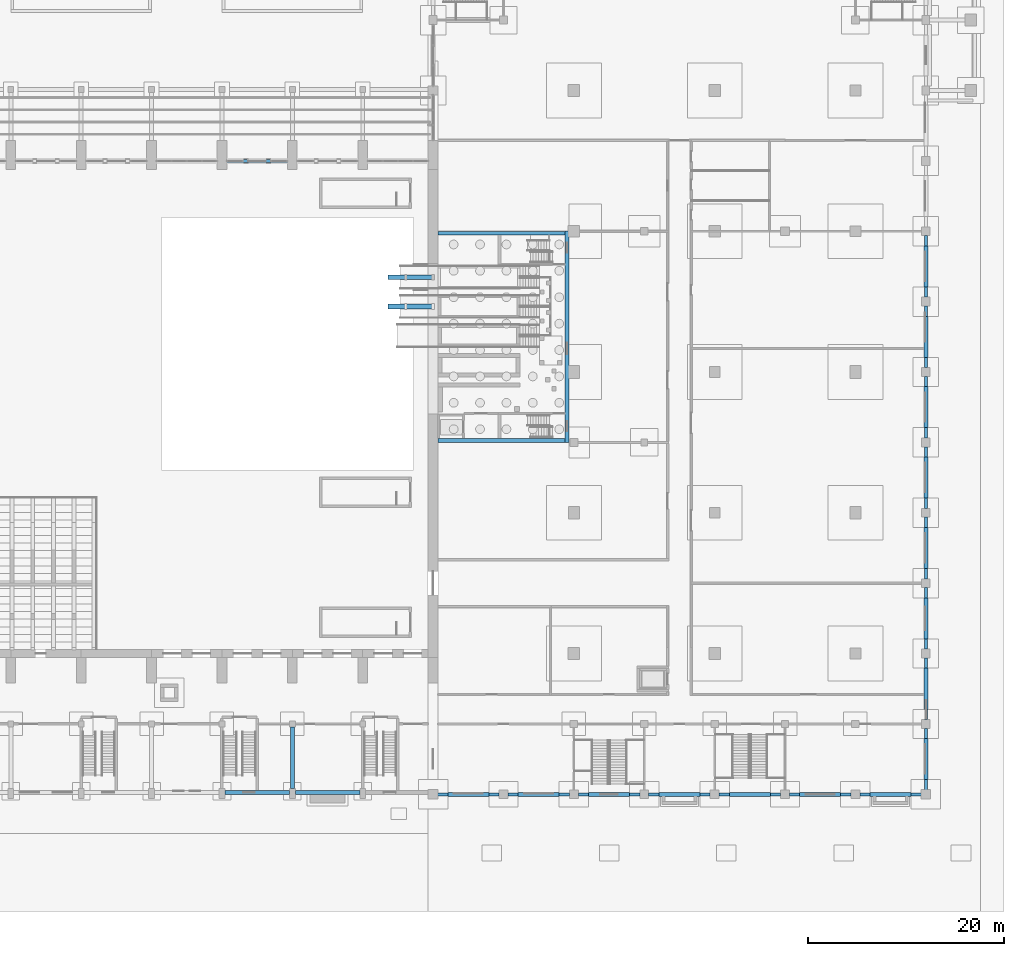
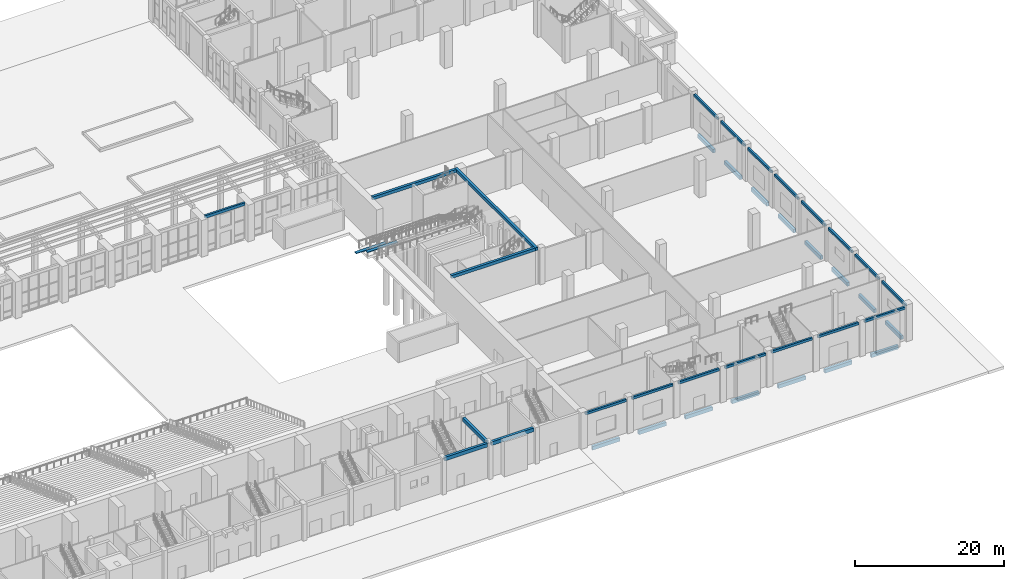
# One storey, part 20 of 70: 37 beams, 2 members.
"""IFC4 building model written with IfcOpenShell, lengths in metres."""

from ifc_helpers import new_model, si_unit, direction, frame, origin, origin_2d, place, context, subcontext, project, spatial, rectangle, extrude, material, material_profile, profile_set, type_object, element, save


model = new_model("IFC4")

# Units and contexts
model_context = context("Model", 3, precision=1e-05, world=origin(), true_north=direction((0.0, 1.0)))
body_context = subcontext(model_context, "Body", "Model", "MODEL_VIEW")
ifc_project = project(units=[si_unit("LENGTHUNIT", "METRE"), si_unit("AREAUNIT", "SQUARE_METRE"), si_unit("VOLUMEUNIT", "CUBIC_METRE"), si_unit("PLANEANGLEUNIT", "RADIAN"), si_unit("MASSUNIT", "GRAM", prefix="KILO")], contexts=[model_context])

# Site, building, storey
site_placement = place(None, origin())
site = spatial("IfcSite", under=ifc_project, at=site_placement, CompositionType="ELEMENT")
building_placement = place(site_placement, origin())
building = spatial("IfcBuilding", under=site, at=building_placement, Name="Vermilion Court Aquatics Centre", CompositionType="ELEMENT")
storey_placement = place(building_placement, origin())
storey = spatial("IfcBuildingStorey", under=building, at=storey_placement, Name="L00", CompositionType="ELEMENT", Elevation=0.0)

# Beams
ifc_material_1 = material(Name="Concrete 8000 psi", Category="concrete")
ifc_material_profile_1 = material_profile(ifc_material_1, rectangle(XDim=0.39990234375, YDim=0.5, at=origin_2d()), Name="RC 400x500")
ifc_profile_set_1 = profile_set([ifc_material_profile_1], Name="Concrete 8000 psi")
beam_type_1 = type_object("IfcBeamType", Name="Diving Tower ring beam 400x500", PredefinedType="BEAM", material=ifc_profile_set_1)
for number, where, z_axis, x_axis, name in (
    (1, (144.5, 36.199951171875, 5.75), (1.0, 0.0, 0.0), (0.0, 1.0, 0.0), "Diving Tower ring beam S L01"),
    (2, (144.5, 57.39990234375, 5.75), (1.0, 0.0, 0.0), (0.0, 1.0, 0.0), "Diving Tower ring beam N L01"),
):
    element("IfcBeam", number, at=place(storey_placement, frame(where, z_axis=z_axis, x_axis=x_axis)), inside=storey, type_object=beam_type_1, Name=name, PredefinedType="BEAM", context=body_context, shape_type="SweptSolid", body=[
        extrude(rectangle(XDim=0.39990234375, YDim=0.5, at=origin_2d()), origin(), (0.0, 0.0, 1.0), 13.0),
    ])
beam_1_placement = place(storey_placement, frame((157.699951171875, 36.0, 5.75), z_axis=(0.0, 1.0, 0.0), x_axis=(-1.0, 0.0, 0.0)))
element("IfcBeam", 3, at=beam_1_placement, inside=storey, type_object=beam_type_1, Name="Diving Tower ring beam E L01", PredefinedType="BEAM", context=body_context, shape_type="SweptSolid", body=[
    extrude(rectangle(XDim=0.39990234375, YDim=0.5, at=origin_2d()), origin(), (0.0, 0.0, 1.0), 21.60009765625),
])
ifc_material_2 = material(Name="Concrete 5000 psi", Category="concrete")
ifc_material_profile_2 = material_profile(ifc_material_2, rectangle(XDim=0.300048828125, YDim=0.449951171875, at=origin_2d()), Name="RC 300x450")
ifc_profile_set_2 = profile_set([ifc_material_profile_2], Name="Concrete 5000 psi")
beam_type_2 = type_object("IfcBeamType", Name="Envelope north wall head beam RC 300x450", PredefinedType="BEAM", material=ifc_profile_set_2)
beam_2_placement = place(storey_placement, frame((122.89990234375, 64.800048828125, 5.77490234375), z_axis=(1.0, 0.0, 0.0), x_axis=(0.0, 1.0, 0.0)))
element("IfcBeam", 4, at=beam_2_placement, inside=storey, type_object=beam_type_2, Name="North wall head beam 16", PredefinedType="BEAM", context=body_context, shape_type="SweptSolid", body=[
    extrude(rectangle(XDim=0.300048828125, YDim=0.449951171875, at=origin_2d()), origin(), (0.0, 0.0, 1.0), 6.2001953125),
])

# Members
ifc_material_3 = material(Name="Fibre composite (GFRP)", Category="plastic")
ifc_material_profile_3 = material_profile(ifc_material_3, rectangle(XDim=0.5, YDim=0.10009765625, at=origin_2d()), Name="Springboard 500x100")
ifc_profile_set_3 = profile_set([ifc_material_profile_3], Name="Fibre composite (GFRP)")
member_type = type_object("IfcMemberType", Name="Hall springboard", PredefinedType="MEMBER", material=ifc_profile_set_3)
for number, where, z_axis, x_axis, name in (
    (5, (139.39990234375, 52.89990234375, 1.300048828125), (1.0, 0.0, 0.0), (0.0, 1.0, 0.0), "Springboard"),
    (6, (139.39990234375, 49.89990234375, 3.300048828125), (1.0, 0.0, 0.0), (0.0, 1.0, 0.0), "Springboard"),
):
    element("IfcMember", number, at=place(storey_placement, frame(where, z_axis=z_axis, x_axis=x_axis)), inside=storey, type_object=member_type, Name=name, PredefinedType="MEMBER", context=body_context, shape_type="SweptSolid", body=[
        extrude(rectangle(XDim=0.5, YDim=0.10009765625, at=origin_2d()), origin(), (0.0, 0.0, 1.0), 4.7001953125),
    ])

# Beams
ifc_material_4 = material(Name="Concrete 5000 psi", Category="concrete")
ifc_material_profile_4 = material_profile(ifc_material_4, rectangle(XDim=0.39990234375, YDim=0.60009765625, at=origin_2d()), Name="RC 400x600")
ifc_profile_set_4 = profile_set([ifc_material_profile_4], Name="Concrete 5000 psi")
beam_type_3 = type_object("IfcBeamType", Name="Podium grade beam RC 400x600", PredefinedType="BEAM", material=ifc_profile_set_4)
for number, where, z_axis, x_axis, name in (
    (7, (145.5, 0.0, -0.679931640625), (1.0, 0.0, 0.0), (0.0, 1.0, 0.0), "Grade beam S"),
    (8, (152.699951171875, 0.0, -0.679931640625), (1.0, 0.0, 0.0), (0.0, 1.0, 0.0), "Grade beam S"),
):
    element("IfcBeam", number, at=place(storey_placement, frame(where, z_axis=z_axis, x_axis=x_axis)), inside=storey, type_object=beam_type_3, Name=name, PredefinedType="BEAM", context=body_context, shape_type="SweptSolid", body=[
        extrude(rectangle(XDim=0.39990234375, YDim=0.60009765625, at=origin_2d()), origin(), (0.0, 0.0, 1.0), 4.199951171875),
    ])
beam_3_placement = place(storey_placement, frame((159.89990234375, 0.0, -0.679931640625), z_axis=(1.0, 0.0, 0.0), x_axis=(0.0, 1.0, 0.0)))
element("IfcBeam", 9, at=beam_3_placement, inside=storey, type_object=beam_type_3, Name="Grade beam S", PredefinedType="BEAM", context=body_context, shape_type="SweptSolid", body=[
    extrude(rectangle(XDim=0.39990234375, YDim=0.60009765625, at=origin_2d()), origin(), (0.0, 0.0, 1.0), 4.2001953125),
])
for number, where, z_axis, x_axis, name in (
    (10, (167.10009765625, 0.0, -0.679931640625), (1.0, 0.0, 0.0), (0.0, 1.0, 0.0), "Grade beam S"),
    (11, (174.300048828125, 0.0, -0.679931640625), (1.0, 0.0, 0.0), (0.0, 1.0, 0.0), "Grade beam S"),
    (12, (181.5, 0.0, -0.679931640625), (1.0, 0.0, 0.0), (0.0, 1.0, 0.0), "Grade beam S"),
    (13, (188.699951171875, 0.0, -0.679931640625), (1.0, 0.0, 0.0), (0.0, 1.0, 0.0), "Grade beam S"),
    (14, (194.39990234375, 1.5, -0.679931640625), (0.0, 1.0, 0.0), (-1.0, 0.0, 0.0), "Grade beam E"),
    (15, (194.39990234375, 8.699951171875, -0.679931640625), (0.0, 1.0, 0.0), (-1.0, 0.0, 0.0), "Grade beam E"),
):
    element("IfcBeam", number, at=place(storey_placement, frame(where, z_axis=z_axis, x_axis=x_axis)), inside=storey, type_object=beam_type_3, Name=name, PredefinedType="BEAM", context=body_context, shape_type="SweptSolid", body=[
        extrude(rectangle(XDim=0.39990234375, YDim=0.60009765625, at=origin_2d()), origin(), (0.0, 0.0, 1.0), 4.199951171875),
    ])
beam_4_placement = place(storey_placement, frame((194.39990234375, 15.89990234375, -0.679931640625), z_axis=(0.0, 1.0, 0.0), x_axis=(-1.0, 0.0, 0.0)))
element("IfcBeam", 16, at=beam_4_placement, inside=storey, type_object=beam_type_3, Name="Grade beam E", PredefinedType="BEAM", context=body_context, shape_type="SweptSolid", body=[
    extrude(rectangle(XDim=0.39990234375, YDim=0.60009765625, at=origin_2d()), origin(), (0.0, 0.0, 1.0), 4.2001953125),
])
for number, where, z_axis, x_axis, name in (
    (17, (194.39990234375, 23.10009765625, -0.679931640625), (0.0, 1.0, 0.0), (-1.0, 0.0, 0.0), "Grade beam E"),
    (18, (194.39990234375, 30.300048828125, -0.679931640625), (0.0, 1.0, 0.0), (-1.0, 0.0, 0.0), "Grade beam E"),
    (19, (194.39990234375, 37.5, -0.679931640625), (0.0, 1.0, 0.0), (-1.0, 0.0, 0.0), "Grade beam E"),
    (20, (194.39990234375, 44.699951171875, -0.679931640625), (0.0, 1.0, 0.0), (-1.0, 0.0, 0.0), "Grade beam E"),
):
    element("IfcBeam", number, at=place(storey_placement, frame(where, z_axis=z_axis, x_axis=x_axis)), inside=storey, type_object=beam_type_3, Name=name, PredefinedType="BEAM", context=body_context, shape_type="SweptSolid", body=[
        extrude(rectangle(XDim=0.39990234375, YDim=0.60009765625, at=origin_2d()), origin(), (0.0, 0.0, 1.0), 4.199951171875),
    ])
beam_5_placement = place(storey_placement, frame((194.39990234375, 51.89990234375, -0.679931640625), z_axis=(0.0, 1.0, 0.0), x_axis=(-1.0, 0.0, 0.0)))
element("IfcBeam", 21, at=beam_5_placement, inside=storey, type_object=beam_type_3, Name="Grade beam E", PredefinedType="BEAM", context=body_context, shape_type="SweptSolid", body=[
    extrude(rectangle(XDim=0.39990234375, YDim=0.60009765625, at=origin_2d()), origin(), (0.0, 0.0, 1.0), 4.2001953125),
])
ifc_material_5 = material(Name="Concrete 5000 psi", Category="concrete")
ifc_material_profile_5 = material_profile(ifc_material_5, rectangle(XDim=0.300048828125, YDim=0.39990234375, at=origin_2d()), Name="RC 300x400")
ifc_profile_set_5 = profile_set([ifc_material_profile_5], Name="Concrete 5000 psi")
beam_type_4 = type_object("IfcBeamType", Name="Podium spandrel beam RC 300x400", PredefinedType="BEAM", material=ifc_profile_set_5)
for number, where, z_axis, x_axis, name in (
    (22, (144.449951171875, 0.0, 5.300048828125), (1.0, 0.0, 0.0), (0.0, 1.0, 0.0), "Spandrel beam L00"),
    (23, (151.64990234375, 0.0, 5.300048828125), (1.0, 0.0, 0.0), (0.0, 1.0, 0.0), "Spandrel beam L00"),
):
    element("IfcBeam", number, at=place(storey_placement, frame(where, z_axis=z_axis, x_axis=x_axis)), inside=storey, type_object=beam_type_4, Name=name, PredefinedType="BEAM", context=body_context, shape_type="SweptSolid", body=[
        extrude(rectangle(XDim=0.300048828125, YDim=0.39990234375, at=origin_2d()), origin(), (0.0, 0.0, 1.0), 6.300048828125),
    ])
beam_6_placement = place(storey_placement, frame((158.85009765625, 0.0, 5.300048828125), z_axis=(1.0, 0.0, 0.0), x_axis=(0.0, 1.0, 0.0)))
element("IfcBeam", 24, at=beam_6_placement, inside=storey, type_object=beam_type_4, Name="Spandrel beam L00", PredefinedType="BEAM", context=body_context, shape_type="SweptSolid", body=[
    extrude(rectangle(XDim=0.300048828125, YDim=0.39990234375, at=origin_2d()), origin(), (0.0, 0.0, 1.0), 6.2998046875),
])
for number, where, z_axis, x_axis, name in (
    (25, (166.050048828125, 0.0, 5.300048828125), (1.0, 0.0, 0.0), (0.0, 1.0, 0.0), "Spandrel beam L00"),
    (26, (173.25, 0.0, 5.300048828125), (1.0, 0.0, 0.0), (0.0, 1.0, 0.0), "Spandrel beam L00"),
    (27, (180.449951171875, 0.0, 5.300048828125), (1.0, 0.0, 0.0), (0.0, 1.0, 0.0), "Spandrel beam L00"),
    (28, (187.64990234375, 0.0, 5.300048828125), (1.0, 0.0, 0.0), (0.0, 1.0, 0.0), "Spandrel beam L00"),
    (29, (194.39990234375, 0.449951171875, 5.300048828125), (0.0, 1.0, 0.0), (-1.0, 0.0, 0.0), "Spandrel beam L00"),
    (30, (194.39990234375, 7.64990234375, 5.300048828125), (0.0, 1.0, 0.0), (-1.0, 0.0, 0.0), "Spandrel beam L00"),
):
    element("IfcBeam", number, at=place(storey_placement, frame(where, z_axis=z_axis, x_axis=x_axis)), inside=storey, type_object=beam_type_4, Name=name, PredefinedType="BEAM", context=body_context, shape_type="SweptSolid", body=[
        extrude(rectangle(XDim=0.300048828125, YDim=0.39990234375, at=origin_2d()), origin(), (0.0, 0.0, 1.0), 6.300048828125),
    ])
beam_7_placement = place(storey_placement, frame((194.39990234375, 14.85009765625, 5.300048828125), z_axis=(0.0, 1.0, 0.0), x_axis=(-1.0, 0.0, 0.0)))
element("IfcBeam", 31, at=beam_7_placement, inside=storey, type_object=beam_type_4, Name="Spandrel beam L00", PredefinedType="BEAM", context=body_context, shape_type="SweptSolid", body=[
    extrude(rectangle(XDim=0.300048828125, YDim=0.39990234375, at=origin_2d()), origin(), (0.0, 0.0, 1.0), 6.2998046875),
])
for number, where, z_axis, x_axis, name in (
    (32, (194.39990234375, 22.050048828125, 5.300048828125), (0.0, 1.0, 0.0), (-1.0, 0.0, 0.0), "Spandrel beam L00"),
    (33, (194.39990234375, 29.25, 5.300048828125), (0.0, 1.0, 0.0), (-1.0, 0.0, 0.0), "Spandrel beam L00"),
    (34, (194.39990234375, 36.449951171875, 5.300048828125), (0.0, 1.0, 0.0), (-1.0, 0.0, 0.0), "Spandrel beam L00"),
    (35, (194.39990234375, 43.64990234375, 5.300048828125), (0.0, 1.0, 0.0), (-1.0, 0.0, 0.0), "Spandrel beam L00"),
):
    element("IfcBeam", number, at=place(storey_placement, frame(where, z_axis=z_axis, x_axis=x_axis)), inside=storey, type_object=beam_type_4, Name=name, PredefinedType="BEAM", context=body_context, shape_type="SweptSolid", body=[
        extrude(rectangle(XDim=0.300048828125, YDim=0.39990234375, at=origin_2d()), origin(), (0.0, 0.0, 1.0), 6.300048828125),
    ])
beam_8_placement = place(storey_placement, frame((194.39990234375, 50.85009765625, 5.300048828125), z_axis=(0.0, 1.0, 0.0), x_axis=(-1.0, 0.0, 0.0)))
element("IfcBeam", 36, at=beam_8_placement, inside=storey, type_object=beam_type_4, Name="Spandrel beam L00", PredefinedType="BEAM", context=body_context, shape_type="SweptSolid", body=[
    extrude(rectangle(XDim=0.300048828125, YDim=0.39990234375, at=origin_2d()), origin(), (0.0, 0.0, 1.0), 6.2998046875),
])
ifc_material_6 = material(Name="Concrete 5000 psi", Category="concrete")
ifc_material_profile_6 = material_profile(ifc_material_6, rectangle(XDim=0.39990234375, YDim=0.60009765625, at=origin_2d()), Name="RC 400x600")
ifc_profile_set_6 = profile_set([ifc_material_profile_6], Name="Concrete 5000 psi")
beam_type_5 = type_object("IfcBeamType", Name="South floor beam RC 400x600", PredefinedType="BEAM", material=ifc_profile_set_6)
for number, where, z_axis, x_axis, name in (
    (37, (122.699951171875, 0.199951171875, 5.39990234375), (1.0, 0.0, 0.0), (0.0, 1.0, 0.0), "South floor edge beam"),
    (38, (129.89990234375, 0.199951171875, 5.39990234375), (1.0, 0.0, 0.0), (0.0, 1.0, 0.0), "South floor edge beam"),
):
    element("IfcBeam", number, at=place(storey_placement, frame(where, z_axis=z_axis, x_axis=x_axis)), inside=storey, type_object=beam_type_5, Name=name, PredefinedType="BEAM", context=body_context, shape_type="SweptSolid", body=[
        extrude(rectangle(XDim=0.39990234375, YDim=0.60009765625, at=origin_2d()), origin(), (0.0, 0.0, 1.0), 6.60009765625),
    ])
beam_9_placement = place(storey_placement, frame((129.60009765625, 0.60009765625, 5.39990234375), z_axis=(0.0, 1.0, 0.0), x_axis=(-1.0, 0.0, 0.0)))
element("IfcBeam", 39, at=beam_9_placement, inside=storey, type_object=beam_type_5, Name="South floor beam", PredefinedType="BEAM", context=body_context, shape_type="SweptSolid", body=[
    extrude(rectangle(XDim=0.39990234375, YDim=0.60009765625, at=origin_2d()), origin(), (0.0, 0.0, 1.0), 6.2998046875),
])

save(model, "model.ifc")
